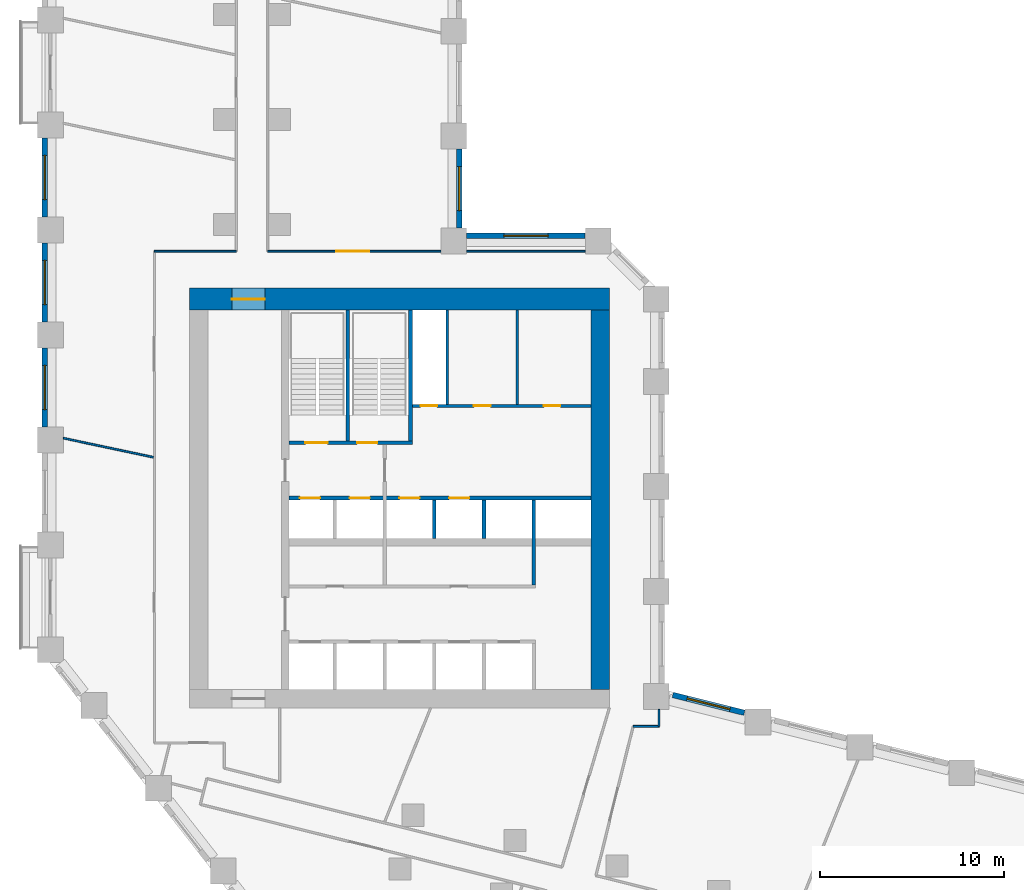
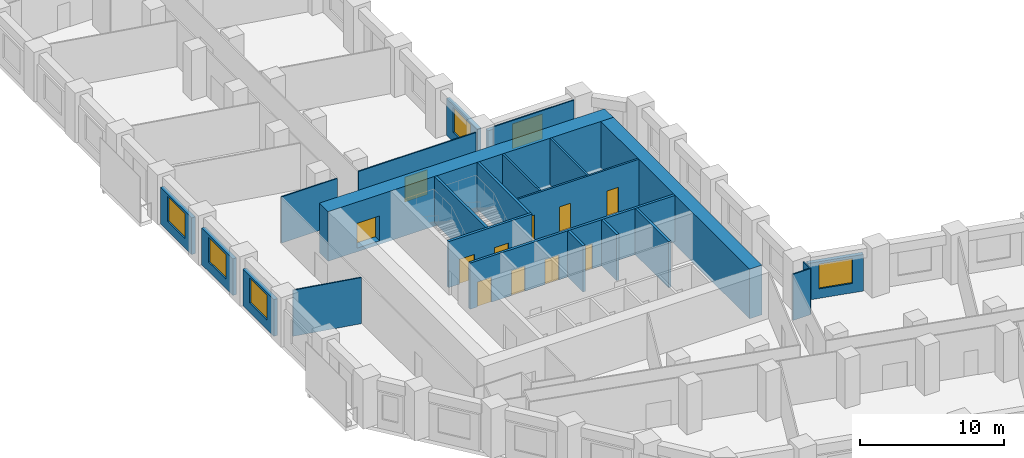
# One storey, part 5 of 11: 24 walls, 11 doors, 6 windows, 17 openings.
"""IFC4 building model written with IfcOpenShell, lengths in metres."""

from ifc_helpers import new_model, si_unit, direction, frame, frame_2d, origin, place, context, subcontext, project, spatial, rectangle, extrude, material, layer, layer_set, type_object, element, fill, save


model = new_model("IFC4")

# Units and contexts
model_context = context("Model", 3, precision=1e-05, world=origin(), true_north=direction((0.0, 1.0)))
body_context = subcontext(model_context, "Body", "Model", "MODEL_VIEW")
ifc_project = project(units=[si_unit("LENGTHUNIT", "METRE"), si_unit("AREAUNIT", "SQUARE_METRE"), si_unit("VOLUMEUNIT", "CUBIC_METRE"), si_unit("PLANEANGLEUNIT", "RADIAN"), si_unit("MASSUNIT", "GRAM", prefix="KILO")], contexts=[model_context])

# Site, building, storey
site_placement = place(None, origin())
site = spatial("IfcSite", under=ifc_project, at=site_placement, CompositionType="ELEMENT")
building_placement = place(site_placement, origin())
building = spatial("IfcBuilding", under=site, at=building_placement, Name="Meshkara Civic Tower", CompositionType="ELEMENT")
storey_placement = place(building_placement, frame((0.0, 0.0, 37.199951171875)))
storey = spatial("IfcBuildingStorey", under=building, at=storey_placement, Name="L07", CompositionType="ELEMENT", Elevation=37.199951171875)

# Wall, openings, doors
ifc_material_1 = material(Name="Blockwork", Category="masonry")
ifc_layer_1 = layer(ifc_material_1, 0.14990234375)
ifc_layer_set_1 = layer_set([ifc_layer_1], Name="Core partition 150")
wall_type_1 = type_object("IfcWallType", Name="Core partition 150", PredefinedType="PARTITIONING", material=ifc_layer_set_1)
wall_1_placement = place(storey_placement, frame((20.10009765625, 30.5, 0.0), z_axis=(0.0, 0.0, 1.0), x_axis=(1.0, 0.0, 0.0)))
wall_1 = element("IfcWall", 1, at=wall_1_placement, inside=storey, type_object=wall_type_1, Name="L07-C010", PredefinedType="PARTITIONING", context=body_context, shape_type="SweptSolid", body=[
    extrude(rectangle(XDim=9.699951171875, YDim=0.14990234375, at=frame_2d((4.85009765625, 0.0))), origin(), (0.0, 0.0, 1.0), 3.900146484375),
])
opening_1_placement = place(wall_1_placement, frame((0.449951171875, 0.0, 0.0)))
opening_1 = element("IfcOpeningElement", 2, at=opening_1_placement, cuts=wall_1, Name="Opening L07-K012", PredefinedType="OPENING", context=body_context, shape_type="SweptSolid", body=[
    extrude(rectangle(XDim=0.89990234375, YDim=2.10009765625, at=frame_2d((0.449951171875, 1.050048828125))), frame((0.0, 0.0849609375, 0.0), z_axis=(0.0, -1.0, 0.0), x_axis=(1.0, 0.0, 0.0)), (0.0, 0.0, 1.0), 0.169921875),
])
opening_2_placement = place(wall_1_placement, frame((3.35009765625, 0.0, 0.0)))
opening_2 = element("IfcOpeningElement", 3, at=opening_2_placement, cuts=wall_1, Name="Opening L07-K013", PredefinedType="OPENING", context=body_context, shape_type="SweptSolid", body=[
    extrude(rectangle(XDim=0.89990234375, YDim=2.10009765625, at=frame_2d((0.449951171875, 1.050048828125))), frame((0.0, 0.0849609375, 0.0), z_axis=(0.0, -1.0, 0.0), x_axis=(1.0, 0.0, 0.0)), (0.0, 0.0, 1.0), 0.169921875),
])
opening_3_placement = place(wall_1_placement, frame((7.14990234375, 0.0, 0.0)))
opening_3 = element("IfcOpeningElement", 4, at=opening_3_placement, cuts=wall_1, Name="Opening L07-K014", PredefinedType="OPENING", context=body_context, shape_type="SweptSolid", body=[
    extrude(rectangle(XDim=0.89990234375, YDim=2.10009765625, at=frame_2d((0.449951171875, 1.050048828125))), frame((0.0, 0.0849609375, 0.0), z_axis=(0.0, -1.0, 0.0), x_axis=(1.0, 0.0, 0.0)), (0.0, 0.0, 1.0), 0.169921875),
])
ifc_material_2 = material(Name="Timber door leaf in steel frame", Category="steel")
door_type_1 = type_object("IfcDoorType", Name="Core room door 900", OperationType="SINGLE_SWING_LEFT", PredefinedType="DOOR", material=ifc_material_2)
door_1_placement = place(opening_2_placement, origin())
door_1 = element("IfcDoor", 5, at=door_1_placement, inside=storey, type_object=door_type_1, Name="L07-K013", OperationType="SINGLE_SWING_RIGHT", OverallHeight=2.10009765625, OverallWidth=0.89990234375, PredefinedType="DOOR", context=body_context, shape_type="SweptSolid", body=[
    extrude(rectangle(XDim=0.89990234375, YDim=2.10009765625, at=frame_2d((0.449951171875, 1.050048828125))), frame((0.0, 0.02490234375, 0.0), z_axis=(0.0, -1.0, 0.0), x_axis=(1.0, 0.0, 0.0)), (0.0, 0.0, 1.0), 0.050048828125),
])
fill(opening_2, door_1)
ifc_material_3 = material(Name="Fire-rated door leaf in steel frame", Category="steel")
door_type_2 = type_object("IfcDoorType", Name="Riser door 900", OperationType="SINGLE_SWING_LEFT", PredefinedType="DOOR", material=ifc_material_3)
door_2_placement = place(opening_1_placement, origin())
door_2 = element("IfcDoor", 6, at=door_2_placement, inside=storey, type_object=door_type_2, Name="L07-K012", OperationType="SINGLE_SWING_RIGHT", OverallHeight=2.10009765625, OverallWidth=0.89990234375, PredefinedType="DOOR", context=body_context, shape_type="SweptSolid", body=[
    extrude(rectangle(XDim=0.89990234375, YDim=2.10009765625, at=frame_2d((0.449951171875, 1.050048828125))), frame((0.0, 0.02490234375, 0.0), z_axis=(0.0, -1.0, 0.0), x_axis=(1.0, 0.0, 0.0)), (0.0, 0.0, 1.0), 0.050048828125),
])
fill(opening_1, door_2)
ifc_material_4 = material(Name="Timber door leaf in steel frame", Category="steel")
door_type_3 = type_object("IfcDoorType", Name="WC door 900", OperationType="SINGLE_SWING_LEFT", PredefinedType="DOOR", material=ifc_material_4)
door_3_placement = place(opening_3_placement, origin())
door_3 = element("IfcDoor", 7, at=door_3_placement, inside=storey, type_object=door_type_3, Name="L07-K014", OperationType="SINGLE_SWING_LEFT", OverallHeight=2.10009765625, OverallWidth=0.89990234375, PredefinedType="DOOR", context=body_context, shape_type="SweptSolid", body=[
    extrude(rectangle(XDim=0.89990234375, YDim=2.10009765625, at=frame_2d((0.449951171875, 1.050048828125))), frame((0.0, 0.02490234375, 0.0), z_axis=(0.0, -1.0, 0.0), x_axis=(1.0, 0.0, 0.0)), (0.0, 0.0, 1.0), 0.050048828125),
])
fill(opening_3, door_3)

# Walls
for number, where, z_axis, x_axis, name in (
    (8, (22.0, 30.574951171875, 0.0), (0.0, 0.0, 1.0), (0.0, 1.0, 0.0), "L07-C020"),
    (9, (25.800048828125, 30.574951171875, 0.0), (0.0, 0.0, 1.0), (0.0, 1.0, 0.0), "L07-C023"),
):
    element("IfcWall", number, at=place(storey_placement, frame(where, z_axis=z_axis, x_axis=x_axis)), inside=storey, type_object=wall_type_1, Name=name, PredefinedType="PARTITIONING", context=body_context, shape_type="SweptSolid", body=[
        extrude(rectangle(XDim=5.125, YDim=0.14990234375, at=frame_2d((2.5625, 0.0))), origin(), (0.0, 0.0, 1.0), 3.900146484375),
    ])
ifc_material_5 = material(Name="Concrete C80", Category="concrete")
ifc_layer_2 = layer(ifc_material_5, 1.0)
ifc_layer_set_2 = layer_set([ifc_layer_2], Name="Core ring wall 1000 C80")
wall_type_2 = type_object("IfcWallType", Name="Core ring wall 1000 C80", PredefinedType="SHEAR", material=ifc_layer_set_2)
wall_2_placement = place(storey_placement, frame((30.300048828125, 15.10009765625, -0.300048828125), z_axis=(0.0, 0.0, 1.0), x_axis=(0.0, 1.0, 0.0)))
element("IfcWall", 10, at=wall_2_placement, inside=storey, type_object=wall_type_2, Name="L07-C004", PredefinedType="SHEAR", context=body_context, shape_type="SweptSolid", body=[
    extrude(rectangle(XDim=20.599853515625, YDim=1.0, at=frame_2d((10.2998046875, 0.0))), origin(), (0.0, 0.0, 1.0), 4.2001953125),
])

# Wall, opening, door
ifc_material_6 = material(Name="Concrete C80", Category="concrete")
ifc_layer_3 = layer(ifc_material_6, 1.199951171875)
ifc_layer_set_3 = layer_set([ifc_layer_3], Name="Core ring wall 1200 C80")
wall_type_3 = type_object("IfcWallType", Name="Core ring wall 1200 C80", PredefinedType="SHEAR", material=ifc_layer_set_3)
wall_3_placement = place(storey_placement, frame((8.0, 36.300048828125, -0.300048828125), z_axis=(0.0, 0.0, 1.0), x_axis=(1.0, 0.0, 0.0)))
wall_3 = element("IfcWall", 11, at=wall_3_placement, inside=storey, type_object=wall_type_3, Name="L07-C002", PredefinedType="SHEAR", context=body_context, shape_type="SweptSolid", body=[
    extrude(rectangle(XDim=22.800048828125, YDim=1.199951171875, at=frame_2d((11.39990234375, 0.0))), origin(), (0.0, 0.0, 1.0), 4.2001953125),
])
opening_4_placement = place(wall_3_placement, frame((2.300048828125, 0.0, 0.300048828125)))
opening_4 = element("IfcOpeningElement", 12, at=opening_4_placement, cuts=wall_3, Name="Opening L07-K020", PredefinedType="OPENING", context=body_context, shape_type="SweptSolid", body=[
    extrude(rectangle(XDim=1.800048828125, YDim=2.10009765625, at=frame_2d((0.89990234375, 1.050048828125))), frame((0.0, 0.60986328125, 0.0), z_axis=(0.0, -1.0, 0.0), x_axis=(1.0, 0.0, 0.0)), (0.0, 0.0, 1.0), 1.219970703125),
])
ifc_material_7 = material(Name="Fire-rated door leaf in steel frame", Category="steel")
door_type_4 = type_object("IfcDoorType", Name="Core double door 1800 EI 60", OperationType="DOUBLE_DOOR_SINGLE_SWING", PredefinedType="DOOR", material=ifc_material_7)
door_4_placement = place(opening_4_placement, origin())
door_4 = element("IfcDoor", 13, at=door_4_placement, inside=storey, type_object=door_type_4, Name="L07-K020", OperationType="DOUBLE_DOOR_SINGLE_SWING", OverallHeight=2.10009765625, OverallWidth=1.800048828125, PredefinedType="DOOR", context=body_context, shape_type="SweptSolid", body=[
    extrude(rectangle(XDim=1.800048828125, YDim=2.10009765625, at=frame_2d((0.89990234375, 1.050048828125))), frame((0.0, 0.02490234375, 0.0), z_axis=(0.0, -1.0, 0.0), x_axis=(1.0, 0.0, 0.0)), (0.0, 0.0, 1.0), 0.050048828125),
])
fill(opening_4, door_4)

# Wall
ifc_material_8 = material(Name="Corridor wall 100")
ifc_layer_4 = layer(ifc_material_8, 0.10009765625)
ifc_layer_set_4 = layer_set([ifc_layer_4], Name="Corridor wall 100")
wall_type_4 = type_object("IfcWallType", Name="Corridor wall 100", PredefinedType="PARTITIONING", material=ifc_layer_set_4)
wall_4_placement = place(storey_placement, frame((10.550048828125, 38.89990234375, 0.0), z_axis=(0.0, 0.0, 1.0), x_axis=(-1.0, 0.0, 0.0)))
element("IfcWall", 14, at=wall_4_placement, inside=storey, type_object=wall_type_4, Name="L07-W011", PredefinedType="PARTITIONING", context=body_context, shape_type="SweptSolid", body=[
    extrude(rectangle(XDim=4.449951171875, YDim=0.10009765625, at=frame_2d((2.22509765625, 0.0))), origin(), (0.0, 0.0, 1.0), 3.900146484375),
])

# Wall, opening, door
wall_5_placement = place(storey_placement, frame((21.64990234375, 38.89990234375, 0.0), z_axis=(0.0, 0.0, 1.0), x_axis=(-1.0, 0.0, 0.0)))
wall_5 = element("IfcWall", 15, at=wall_5_placement, inside=storey, type_object=wall_type_4, Name="L07-W018", PredefinedType="PARTITIONING", context=body_context, shape_type="SweptSolid", body=[
    extrude(rectangle(XDim=9.39990234375, YDim=0.10009765625, at=frame_2d((4.699951171875, 0.0))), origin(), (0.0, 0.0, 1.0), 3.900146484375),
])
opening_5_placement = place(wall_5_placement, frame((3.8798828125, 0.0, 0.0)))
opening_5 = element("IfcOpeningElement", 16, at=opening_5_placement, cuts=wall_5, Name="Opening L07-D019", PredefinedType="OPENING", context=body_context, shape_type="SweptSolid", body=[
    extrude(rectangle(XDim=1.800048828125, YDim=2.10009765625, at=frame_2d((0.89990234375, 1.050048828125))), frame((0.0, 0.06005859375, 0.0), z_axis=(0.0, -1.0, 0.0), x_axis=(1.0, 0.0, 0.0)), (0.0, 0.0, 1.0), 0.1201171875),
])
ifc_material_9 = material(Name="Door pair 1800 x 2100")
door_type_5 = type_object("IfcDoorType", Name="Door pair 1800 x 2100", OperationType="SINGLE_SWING_LEFT", PredefinedType="DOOR", material=ifc_material_9)
door_5_placement = place(opening_5_placement, origin())
door_5 = element("IfcDoor", 17, at=door_5_placement, inside=storey, type_object=door_type_5, Name="L07-D019", OperationType="DOUBLE_DOOR_SINGLE_SWING", OverallHeight=2.10009765625, OverallWidth=1.800048828125, PredefinedType="DOOR", context=body_context, shape_type="SweptSolid", body=[
    extrude(rectangle(XDim=1.800048828125, YDim=2.10009765625, at=frame_2d((0.89990234375, 1.050048828125))), frame((0.0, 0.02490234375, 0.0), z_axis=(0.0, -1.0, 0.0), x_axis=(1.0, 0.0, 0.0)), (0.0, 0.0, 1.0), 0.050048828125),
])
fill(opening_5, door_5)

# Walls
wall_6_placement = place(storey_placement, frame((29.493896484375, 38.89990234375, 0.0), z_axis=(0.0, 0.0, 1.0), x_axis=(-1.0, 0.0, 0.0)))
element("IfcWall", 18, at=wall_6_placement, inside=storey, type_object=wall_type_4, Name="L07-W019", PredefinedType="PARTITIONING", context=body_context, shape_type="SweptSolid", body=[
    extrude(rectangle(XDim=6.44384765625, YDim=0.10009765625, at=frame_2d((3.221923828125, 0.0))), origin(), (0.0, 0.0, 1.0), 3.900146484375),
])
wall_7_placement = place(storey_placement, frame((32.096923828125, 13.10009765625, 0.0), z_axis=(0.0, 0.0, 1.0), x_axis=(1.0, 0.0, 0.0)))
element("IfcWall", 19, at=wall_7_placement, inside=storey, type_object=wall_type_4, Name="L07-W023", PredefinedType="PARTITIONING", context=body_context, shape_type="SweptSolid", body=[
    extrude(rectangle(XDim=1.403076171875, YDim=0.10009765625, at=frame_2d((0.70166015625, 0.0))), origin(), (0.0, 0.0, 1.0), 3.900146484375),
])
wall_8_placement = place(storey_placement, frame((33.5, 13.10009765625, 0.0), z_axis=(0.0, 0.0, 1.0), x_axis=(0.0, 1.0, 0.0)))
element("IfcWall", 20, at=wall_8_placement, inside=storey, type_object=wall_type_4, Name="L07-W024", PredefinedType="PARTITIONING", context=body_context, shape_type="SweptSolid", body=[
    extrude(rectangle(XDim=0.9189453125, YDim=0.10009765625, at=frame_2d((0.45947265625, 0.0))), origin(), (0.0, 0.0, 1.0), 3.900146484375),
])

# Wall, opening, window
ifc_material_10 = material(Name="Insulated infill panel with bronze anodised aluminium cladding", Category="aluminium")
ifc_layer_5 = layer(ifc_material_10, 0.300048828125)
ifc_layer_set_5 = layer_set([ifc_layer_5], Name="EXTERNAL INFILL WALL 300")
wall_type_5 = type_object("IfcWallType", Name="EXTERNAL INFILL WALL 300", PredefinedType="SOLIDWALL", material=ifc_layer_set_5)
wall_9_placement = place(storey_placement, frame((38.1298828125, 13.8369140625, 0.0), z_axis=(0.0, 0.0, 1.0), x_axis=(-0.970314477803, 0.241846674911, 0.0)))
wall_9 = element("IfcWall", 21, at=wall_9_placement, inside=storey, type_object=wall_type_5, Name="External wall", PredefinedType="SOLIDWALL", context=body_context, shape_type="SweptSolid", body=[
    extrude(rectangle(XDim=4.002685546875, YDim=0.300048828125, at=frame_2d((2.00146484375, 0.0))), origin(), (0.0, 0.0, 1.0), 3.10009765625),
])
opening_6_placement = place(wall_9_placement, frame((0.802001953125, 0.0, 0.800048828125)))
opening_6 = element("IfcOpeningElement", 22, at=opening_6_placement, cuts=wall_9, Name="Opening W7", PredefinedType="OPENING", context=body_context, shape_type="SweptSolid", body=[
    extrude(rectangle(XDim=2.39990234375, YDim=2.10009765625, at=frame_2d((1.199951171875, 1.050048828125))), frame((0.0, 0.159912109375, 0.0), z_axis=(0.0, -1.0, 0.0), x_axis=(1.0, 0.0, 0.0)), (0.0, 0.0, 1.0), 0.320068359375),
])
ifc_material_11 = material(Name="Tinted double glazing", Category="glass")
window_type = type_object("IfcWindowType", Name="WINDOW 2400x2100", PartitioningType="DOUBLE_PANEL_VERTICAL", PredefinedType="WINDOW", material=ifc_material_11)
window_1_placement = place(opening_6_placement, origin())
window_1 = element("IfcWindow", 23, at=window_1_placement, inside=storey, type_object=window_type, Name="Window", OverallHeight=2.10009765625, OverallWidth=2.39990234375, PartitioningType="DOUBLE_PANEL_VERTICAL", PredefinedType="WINDOW", context=body_context, shape_type="SweptSolid", body=[
    extrude(rectangle(XDim=2.39990234375, YDim=2.10009765625, at=frame_2d((1.199951171875, 1.050048828125))), frame((0.0, 0.030029296875, 0.0), z_axis=(0.0, -1.0, 0.0), x_axis=(1.0, 0.0, 0.0)), (0.0, 0.0, 1.0), 0.06005859375),
])
fill(opening_6, window_1)

wall_10_placement = place(storey_placement, frame((29.493896484375, 39.75, 0.0), z_axis=(0.0, 0.0, 1.0), x_axis=(-1.0, 0.0, 0.0)))
wall_10 = element("IfcWall", 24, at=wall_10_placement, inside=storey, type_object=wall_type_5, Name="External wall", PredefinedType="SOLIDWALL", context=body_context, shape_type="SweptSolid", body=[
    extrude(rectangle(XDim=6.44384765625, YDim=0.300048828125, at=frame_2d((3.221923828125, 0.0))), origin(), (0.0, 0.0, 1.0), 3.10009765625),
])
opening_7_placement = place(wall_10_placement, frame((2.02197265625, 0.0, 0.800048828125)))
opening_7 = element("IfcOpeningElement", 25, at=opening_7_placement, cuts=wall_10, Name="Opening W7", PredefinedType="OPENING", context=body_context, shape_type="SweptSolid", body=[
    extrude(rectangle(XDim=2.39990234375, YDim=2.10009765625, at=frame_2d((1.199951171875, 1.050048828125))), frame((0.0, 0.159912109375, 0.0), z_axis=(0.0, -1.0, 0.0), x_axis=(1.0, 0.0, 0.0)), (0.0, 0.0, 1.0), 0.320068359375),
])
window_2_placement = place(opening_7_placement, origin())
window_2 = element("IfcWindow", 26, at=window_2_placement, inside=storey, type_object=window_type, Name="Window", OverallHeight=2.10009765625, OverallWidth=2.39990234375, PartitioningType="DOUBLE_PANEL_VERTICAL", PredefinedType="WINDOW", context=body_context, shape_type="SweptSolid", body=[
    extrude(rectangle(XDim=2.39990234375, YDim=2.10009765625, at=frame_2d((1.199951171875, 1.050048828125))), frame((0.0, 0.030029296875, 0.0), z_axis=(0.0, -1.0, 0.0), x_axis=(1.0, 0.0, 0.0)), (0.0, 0.0, 1.0), 0.06005859375),
])
fill(opening_7, window_2)

wall_11_placement = place(storey_placement, frame((22.64990234375, 40.14990234375, 0.0), z_axis=(0.0, 0.0, 1.0), x_axis=(0.0, 1.0, 0.0)))
wall_11 = element("IfcWall", 27, at=wall_11_placement, inside=storey, type_object=wall_type_5, Name="External wall", PredefinedType="SOLIDWALL", context=body_context, shape_type="SweptSolid", body=[
    extrude(rectangle(XDim=4.300048828125, YDim=0.300048828125, at=frame_2d((2.14990234375, 0.0))), origin(), (0.0, 0.0, 1.0), 3.10009765625),
])
opening_8_placement = place(wall_11_placement, frame((0.949951171875, 0.0, 0.800048828125)))
opening_8 = element("IfcOpeningElement", 28, at=opening_8_placement, cuts=wall_11, Name="Opening W7", PredefinedType="OPENING", context=body_context, shape_type="SweptSolid", body=[
    extrude(rectangle(XDim=2.39990234375, YDim=2.10009765625, at=frame_2d((1.199951171875, 1.050048828125))), frame((0.0, 0.159912109375, 0.0), z_axis=(0.0, -1.0, 0.0), x_axis=(1.0, 0.0, 0.0)), (0.0, 0.0, 1.0), 0.320068359375),
])
window_3_placement = place(opening_8_placement, origin())
window_3 = element("IfcWindow", 29, at=window_3_placement, inside=storey, type_object=window_type, Name="Window", OverallHeight=2.10009765625, OverallWidth=2.39990234375, PartitioningType="DOUBLE_PANEL_VERTICAL", PredefinedType="WINDOW", context=body_context, shape_type="SweptSolid", body=[
    extrude(rectangle(XDim=2.39990234375, YDim=2.10009765625, at=frame_2d((1.199951171875, 1.050048828125))), frame((0.0, 0.030029296875, 0.0), z_axis=(0.0, -1.0, 0.0), x_axis=(1.0, 0.0, 0.0)), (0.0, 0.0, 1.0), 0.06005859375),
])
fill(opening_8, window_3)

wall_12_placement = place(storey_placement, frame((0.14990234375, 45.054931640625, 0.0), z_axis=(0.0, 0.0, 1.0), x_axis=(0.0, -1.0, 0.0)))
wall_12 = element("IfcWall", 30, at=wall_12_placement, inside=storey, type_object=wall_type_5, Name="External wall", PredefinedType="SOLIDWALL", context=body_context, shape_type="SweptSolid", body=[
    extrude(rectangle(XDim=4.300048828125, YDim=0.300048828125, at=frame_2d((2.14990234375, 0.0))), origin(), (0.0, 0.0, 1.0), 3.10009765625),
])
opening_9_placement = place(wall_12_placement, frame((0.949951171875, 0.0, 0.800048828125)))
opening_9 = element("IfcOpeningElement", 31, at=opening_9_placement, cuts=wall_12, Name="Opening W7", PredefinedType="OPENING", context=body_context, shape_type="SweptSolid", body=[
    extrude(rectangle(XDim=2.39990234375, YDim=2.10009765625, at=frame_2d((1.199951171875, 1.050048828125))), frame((0.0, 0.159912109375, 0.0), z_axis=(0.0, -1.0, 0.0), x_axis=(1.0, 0.0, 0.0)), (0.0, 0.0, 1.0), 0.320068359375),
])
window_4_placement = place(opening_9_placement, origin())
window_4 = element("IfcWindow", 32, at=window_4_placement, inside=storey, type_object=window_type, Name="Window", OverallHeight=2.10009765625, OverallWidth=2.39990234375, PartitioningType="DOUBLE_PANEL_VERTICAL", PredefinedType="WINDOW", context=body_context, shape_type="SweptSolid", body=[
    extrude(rectangle(XDim=2.39990234375, YDim=2.10009765625, at=frame_2d((1.199951171875, 1.050048828125))), frame((0.0, 0.030029296875, 0.0), z_axis=(0.0, -1.0, 0.0), x_axis=(1.0, 0.0, 0.0)), (0.0, 0.0, 1.0), 0.06005859375),
])
fill(opening_9, window_4)

wall_13_placement = place(storey_placement, frame((0.14990234375, 39.35498046875, 0.0), z_axis=(0.0, 0.0, 1.0), x_axis=(0.0, -1.0, 0.0)))
wall_13 = element("IfcWall", 33, at=wall_13_placement, inside=storey, type_object=wall_type_5, Name="External wall", PredefinedType="SOLIDWALL", context=body_context, shape_type="SweptSolid", body=[
    extrude(rectangle(XDim=4.300048828125, YDim=0.300048828125, at=frame_2d((2.14990234375, 0.0))), origin(), (0.0, 0.0, 1.0), 3.10009765625),
])
opening_10_placement = place(wall_13_placement, frame((0.949951171875, 0.0, 0.800048828125)))
opening_10 = element("IfcOpeningElement", 34, at=opening_10_placement, cuts=wall_13, Name="Opening W7", PredefinedType="OPENING", context=body_context, shape_type="SweptSolid", body=[
    extrude(rectangle(XDim=2.39990234375, YDim=2.10009765625, at=frame_2d((1.199951171875, 1.050048828125))), frame((0.0, 0.159912109375, 0.0), z_axis=(0.0, -1.0, 0.0), x_axis=(1.0, 0.0, 0.0)), (0.0, 0.0, 1.0), 0.320068359375),
])
window_5_placement = place(opening_10_placement, origin())
window_5 = element("IfcWindow", 35, at=window_5_placement, inside=storey, type_object=window_type, Name="Window", OverallHeight=2.10009765625, OverallWidth=2.39990234375, PartitioningType="DOUBLE_PANEL_VERTICAL", PredefinedType="WINDOW", context=body_context, shape_type="SweptSolid", body=[
    extrude(rectangle(XDim=2.39990234375, YDim=2.10009765625, at=frame_2d((1.199951171875, 1.050048828125))), frame((0.0, 0.030029296875, 0.0), z_axis=(0.0, -1.0, 0.0), x_axis=(1.0, 0.0, 0.0)), (0.0, 0.0, 1.0), 0.06005859375),
])
fill(opening_10, window_5)

wall_14_placement = place(storey_placement, frame((0.14990234375, 33.655029296875, 0.0), z_axis=(0.0, 0.0, 1.0), x_axis=(0.0, -1.0, 0.0)))
wall_14 = element("IfcWall", 36, at=wall_14_placement, inside=storey, type_object=wall_type_5, Name="External wall", PredefinedType="SOLIDWALL", context=body_context, shape_type="SweptSolid", body=[
    extrude(rectangle(XDim=4.300048828125, YDim=0.300048828125, at=frame_2d((2.14990234375, 0.0))), origin(), (0.0, 0.0, 1.0), 3.10009765625),
])
opening_11_placement = place(wall_14_placement, frame((0.949951171875, 0.0, 0.800048828125)))
opening_11 = element("IfcOpeningElement", 37, at=opening_11_placement, cuts=wall_14, Name="Opening W7", PredefinedType="OPENING", context=body_context, shape_type="SweptSolid", body=[
    extrude(rectangle(XDim=2.39990234375, YDim=2.10009765625, at=frame_2d((1.199951171875, 1.050048828125))), frame((0.0, 0.159912109375, 0.0), z_axis=(0.0, -1.0, 0.0), x_axis=(1.0, 0.0, 0.0)), (0.0, 0.0, 1.0), 0.320068359375),
])
window_6_placement = place(opening_11_placement, origin())
window_6 = element("IfcWindow", 38, at=window_6_placement, inside=storey, type_object=window_type, Name="Window", OverallHeight=2.10009765625, OverallWidth=2.39990234375, PartitioningType="DOUBLE_PANEL_VERTICAL", PredefinedType="WINDOW", context=body_context, shape_type="SweptSolid", body=[
    extrude(rectangle(XDim=2.39990234375, YDim=2.10009765625, at=frame_2d((1.199951171875, 1.050048828125))), frame((0.0, 0.030029296875, 0.0), z_axis=(0.0, -1.0, 0.0), x_axis=(1.0, 0.0, 0.0)), (0.0, 0.0, 1.0), 0.06005859375),
])
fill(opening_11, window_6)

# Wall
ifc_material_12 = material(Name="Partition 100")
ifc_layer_6 = layer(ifc_material_12, 0.10009765625)
ifc_layer_set_6 = layer_set([ifc_layer_6], Name="Partition 100")
wall_type_6 = type_object("IfcWallType", Name="Partition 100", PredefinedType="PARTITIONING", material=ifc_layer_set_6)
wall_15_placement = place(storey_placement, frame((6.0400390625, 27.7119140625, 0.0), z_axis=(0.0, 0.0, 1.0), x_axis=(-0.978162574156, 0.207841233929, 0.0)))
element("IfcWall", 39, at=wall_15_placement, inside=storey, type_object=wall_type_6, Name="L07-W033", PredefinedType="PARTITIONING", context=body_context, shape_type="SweptSolid", body=[
    extrude(rectangle(XDim=4.999267578125, YDim=0.10009765625, at=frame_2d((2.49951171875, 0.0))), origin(), (0.0, 0.0, 1.0), 3.900146484375),
])

# Wall, openings, doors
ifc_material_13 = material(Name="Concrete C40/50", Category="concrete")
ifc_layer_7 = layer(ifc_material_13, 0.199951171875)
ifc_layer_set_7 = layer_set([ifc_layer_7], Name="Shaft wall 200 C40/50")
wall_type_7 = type_object("IfcWallType", Name="Shaft wall 200 C40/50", PredefinedType="SOLIDWALL", material=ifc_layer_set_7)
wall_16_placement = place(storey_placement, frame((13.39990234375, 25.5, 0.0), z_axis=(0.0, 0.0, 1.0), x_axis=(1.0, 0.0, 0.0)))
wall_16 = element("IfcWall", 40, at=wall_16_placement, inside=storey, type_object=wall_type_7, Name="L07-C008", PredefinedType="SOLIDWALL", context=body_context, shape_type="SweptSolid", body=[
    extrude(rectangle(XDim=16.400146484375, YDim=0.199951171875, at=frame_2d((8.2001953125, 0.0))), origin(), (0.0, 0.0, 1.0), 3.900146484375),
])
opening_12_placement = place(wall_16_placement, frame((0.60009765625, 0.0, 0.0)))
opening_12 = element("IfcOpeningElement", 41, at=opening_12_placement, cuts=wall_16, Name="Opening L07-K006", PredefinedType="OPENING", context=body_context, shape_type="SweptSolid", body=[
    extrude(rectangle(XDim=1.10009765625, YDim=2.10009765625, at=frame_2d((0.550048828125, 1.050048828125))), frame((0.0, 0.10986328125, 0.0), z_axis=(0.0, -1.0, 0.0), x_axis=(1.0, 0.0, 0.0)), (0.0, 0.0, 1.0), 0.219970703125),
])
opening_13_placement = place(wall_16_placement, frame((3.300048828125, 0.0, 0.0)))
opening_13 = element("IfcOpeningElement", 42, at=opening_13_placement, cuts=wall_16, Name="Opening L07-K007", PredefinedType="OPENING", context=body_context, shape_type="SweptSolid", body=[
    extrude(rectangle(XDim=1.10009765625, YDim=2.10009765625, at=frame_2d((0.550048828125, 1.050048828125))), frame((0.0, 0.10986328125, 0.0), z_axis=(0.0, -1.0, 0.0), x_axis=(1.0, 0.0, 0.0)), (0.0, 0.0, 1.0), 0.219970703125),
])
opening_14_placement = place(wall_16_placement, frame((6.0, 0.0, 0.0)))
opening_14 = element("IfcOpeningElement", 43, at=opening_14_placement, cuts=wall_16, Name="Opening L07-K008", PredefinedType="OPENING", context=body_context, shape_type="SweptSolid", body=[
    extrude(rectangle(XDim=1.10009765625, YDim=2.10009765625, at=frame_2d((0.550048828125, 1.050048828125))), frame((0.0, 0.10986328125, 0.0), z_axis=(0.0, -1.0, 0.0), x_axis=(1.0, 0.0, 0.0)), (0.0, 0.0, 1.0), 0.219970703125),
])
opening_15_placement = place(wall_16_placement, frame((8.699951171875, 0.0, 0.0)))
opening_15 = element("IfcOpeningElement", 44, at=opening_15_placement, cuts=wall_16, Name="Opening L07-K009", PredefinedType="OPENING", context=body_context, shape_type="SweptSolid", body=[
    extrude(rectangle(XDim=1.10009765625, YDim=2.10009765625, at=frame_2d((0.550048828125, 1.050048828125))), frame((0.0, 0.10986328125, 0.0), z_axis=(0.0, -1.0, 0.0), x_axis=(1.0, 0.0, 0.0)), (0.0, 0.0, 1.0), 0.219970703125),
])
ifc_material_14 = material(Name="Stainless steel landing door", Category="steel")
door_type_6 = type_object("IfcDoorType", Name="Lift landing door 1100", OperationType="SLIDING_TO_LEFT", PredefinedType="DOOR", material=ifc_material_14)
door_6_placement = place(opening_12_placement, origin())
door_6 = element("IfcDoor", 45, at=door_6_placement, inside=storey, type_object=door_type_6, Name="L07-K006", OperationType="SLIDING_TO_LEFT", OverallHeight=2.10009765625, OverallWidth=1.10009765625, PredefinedType="DOOR", context=body_context, shape_type="SweptSolid", body=[
    extrude(rectangle(XDim=1.10009765625, YDim=2.10009765625, at=frame_2d((0.550048828125, 1.050048828125))), frame((0.0, 0.02490234375, 0.0), z_axis=(0.0, -1.0, 0.0), x_axis=(1.0, 0.0, 0.0)), (0.0, 0.0, 1.0), 0.050048828125),
])
fill(opening_12, door_6)
door_7_placement = place(opening_13_placement, origin())
door_7 = element("IfcDoor", 46, at=door_7_placement, inside=storey, type_object=door_type_6, Name="L07-K007", OperationType="SLIDING_TO_LEFT", OverallHeight=2.10009765625, OverallWidth=1.10009765625, PredefinedType="DOOR", context=body_context, shape_type="SweptSolid", body=[
    extrude(rectangle(XDim=1.10009765625, YDim=2.10009765625, at=frame_2d((0.550048828125, 1.050048828125))), frame((0.0, 0.02490234375, 0.0), z_axis=(0.0, -1.0, 0.0), x_axis=(1.0, 0.0, 0.0)), (0.0, 0.0, 1.0), 0.050048828125),
])
fill(opening_13, door_7)
door_8_placement = place(opening_14_placement, origin())
door_8 = element("IfcDoor", 47, at=door_8_placement, inside=storey, type_object=door_type_6, Name="L07-K008", OperationType="SLIDING_TO_LEFT", OverallHeight=2.10009765625, OverallWidth=1.10009765625, PredefinedType="DOOR", context=body_context, shape_type="SweptSolid", body=[
    extrude(rectangle(XDim=1.10009765625, YDim=2.10009765625, at=frame_2d((0.550048828125, 1.050048828125))), frame((0.0, 0.02490234375, 0.0), z_axis=(0.0, -1.0, 0.0), x_axis=(1.0, 0.0, 0.0)), (0.0, 0.0, 1.0), 0.050048828125),
])
fill(opening_14, door_8)
door_9_placement = place(opening_15_placement, origin())
door_9 = element("IfcDoor", 48, at=door_9_placement, inside=storey, type_object=door_type_6, Name="L07-K009", OperationType="SLIDING_TO_LEFT", OverallHeight=2.10009765625, OverallWidth=1.10009765625, PredefinedType="DOOR", context=body_context, shape_type="SweptSolid", body=[
    extrude(rectangle(XDim=1.10009765625, YDim=2.10009765625, at=frame_2d((0.550048828125, 1.050048828125))), frame((0.0, 0.02490234375, 0.0), z_axis=(0.0, -1.0, 0.0), x_axis=(1.0, 0.0, 0.0)), (0.0, 0.0, 1.0), 0.050048828125),
])
fill(opening_15, door_9)

# Walls
for number, where, z_axis, x_axis, name in (
    (49, (21.300048828125, 23.300048828125, 0.0), (0.0, 0.0, 1.0), (0.0, 1.0, 0.0), "L07-C019"),
    (50, (24.0, 23.300048828125, 0.0), (0.0, 0.0, 1.0), (0.0, 1.0, 0.0), "L07-C022"),
):
    element("IfcWall", number, at=place(storey_placement, frame(where, z_axis=z_axis, x_axis=x_axis)), inside=storey, type_object=wall_type_7, Name=name, PredefinedType="SOLIDWALL", context=body_context, shape_type="SweptSolid", body=[
        extrude(rectangle(XDim=2.099853515625, YDim=0.199951171875, at=frame_2d((1.0498046875, 0.0))), origin(), (0.0, 0.0, 1.0), 3.900146484375),
    ])
wall_17_placement = place(storey_placement, frame((26.699951171875, 20.77490234375, 0.0), z_axis=(0.0, 0.0, 1.0), x_axis=(0.0, 1.0, 0.0)))
element("IfcWall", 51, at=wall_17_placement, inside=storey, type_object=wall_type_7, Name="L07-C025", PredefinedType="SOLIDWALL", context=body_context, shape_type="SweptSolid", body=[
    extrude(rectangle(XDim=4.625, YDim=0.199951171875, at=frame_2d((2.3125, 0.0))), origin(), (0.0, 0.0, 1.0), 3.900146484375),
])

# Wall, openings, doors
ifc_material_15 = material(Name="Concrete C40/50", Category="concrete")
ifc_layer_8 = layer(ifc_material_15, 0.199951171875)
ifc_layer_set_8 = layer_set([ifc_layer_8], Name="Stair enclosure wall 200 C40/50")
wall_type_8 = type_object("IfcWallType", Name="Stair enclosure wall 200 C40/50", PredefinedType="SOLIDWALL", material=ifc_layer_set_8)
wall_18_placement = place(storey_placement, frame((13.39990234375, 28.5, 0.0), z_axis=(0.0, 0.0, 1.0), x_axis=(1.0, 0.0, 0.0)))
wall_18 = element("IfcWall", 52, at=wall_18_placement, inside=storey, type_object=wall_type_8, Name="L07-C009", PredefinedType="SOLIDWALL", context=body_context, shape_type="SweptSolid", body=[
    extrude(rectangle(XDim=6.7001953125, YDim=0.199951171875, at=frame_2d((3.35009765625, 0.0))), origin(), (0.0, 0.0, 1.0), 3.900146484375),
])
opening_16_placement = place(wall_18_placement, frame((0.89990234375, 0.0, 0.0)))
opening_16 = element("IfcOpeningElement", 53, at=opening_16_placement, cuts=wall_18, Name="Opening L07-K015", PredefinedType="OPENING", context=body_context, shape_type="SweptSolid", body=[
    extrude(rectangle(XDim=1.199951171875, YDim=2.10009765625, at=frame_2d((0.60009765625, 1.050048828125))), frame((0.0, 0.10986328125, 0.0), z_axis=(0.0, -1.0, 0.0), x_axis=(1.0, 0.0, 0.0)), (0.0, 0.0, 1.0), 0.219970703125),
])
opening_17_placement = place(wall_18_placement, frame((3.699951171875, 0.0, 0.0)))
opening_17 = element("IfcOpeningElement", 54, at=opening_17_placement, cuts=wall_18, Name="Opening L07-K016", PredefinedType="OPENING", context=body_context, shape_type="SweptSolid", body=[
    extrude(rectangle(XDim=1.10009765625, YDim=2.10009765625, at=frame_2d((0.550048828125, 1.050048828125))), frame((0.0, 0.10986328125, 0.0), z_axis=(0.0, -1.0, 0.0), x_axis=(1.0, 0.0, 0.0)), (0.0, 0.0, 1.0), 0.219970703125),
])
ifc_material_16 = material(Name="Fire-rated door leaf in steel frame", Category="steel")
door_type_7 = type_object("IfcDoorType", Name="Stair door 1100 EI 120", OperationType="SINGLE_SWING_LEFT", PredefinedType="DOOR", material=ifc_material_16)
door_10_placement = place(opening_17_placement, origin())
door_10 = element("IfcDoor", 55, at=door_10_placement, inside=storey, type_object=door_type_7, Name="L07-K016", OperationType="SINGLE_SWING_LEFT", OverallHeight=2.10009765625, OverallWidth=1.10009765625, PredefinedType="DOOR", context=body_context, shape_type="SweptSolid", body=[
    extrude(rectangle(XDim=1.10009765625, YDim=2.10009765625, at=frame_2d((0.550048828125, 1.050048828125))), frame((0.0, 0.02490234375, 0.0), z_axis=(0.0, -1.0, 0.0), x_axis=(1.0, 0.0, 0.0)), (0.0, 0.0, 1.0), 0.050048828125),
])
fill(opening_17, door_10)
ifc_material_17 = material(Name="Fire-rated door leaf in steel frame", Category="steel")
door_type_8 = type_object("IfcDoorType", Name="Stair door 1200 EI 120", OperationType="SINGLE_SWING_LEFT", PredefinedType="DOOR", material=ifc_material_17)
door_11_placement = place(opening_16_placement, origin())
door_11 = element("IfcDoor", 56, at=door_11_placement, inside=storey, type_object=door_type_8, Name="L07-K015", OperationType="SINGLE_SWING_RIGHT", OverallHeight=2.10009765625, OverallWidth=1.199951171875, PredefinedType="DOOR", context=body_context, shape_type="SweptSolid", body=[
    extrude(rectangle(XDim=1.199951171875, YDim=2.10009765625, at=frame_2d((0.60009765625, 1.050048828125))), frame((0.0, 0.02490234375, 0.0), z_axis=(0.0, -1.0, 0.0), x_axis=(1.0, 0.0, 0.0)), (0.0, 0.0, 1.0), 0.050048828125),
])
fill(opening_16, door_11)

# Walls
for number, where, z_axis, x_axis, name in (
    (57, (16.60009765625, 28.60009765625, 0.0), (0.0, 0.0, 1.0), (0.0, 1.0, 0.0), "L07-C014"),
    (58, (20.0, 28.60009765625, 0.0), (0.0, 0.0, 1.0), (0.0, 1.0, 0.0), "L07-C017"),
):
    element("IfcWall", number, at=place(storey_placement, frame(where, z_axis=z_axis, x_axis=x_axis)), inside=storey, type_object=wall_type_8, Name=name, PredefinedType="SOLIDWALL", context=body_context, shape_type="SweptSolid", body=[
        extrude(rectangle(XDim=7.099853515625, YDim=0.199951171875, at=frame_2d((3.5498046875, 0.0))), origin(), (0.0, 0.0, 1.0), 3.900146484375),
    ])

save(model, "model.ifc")
